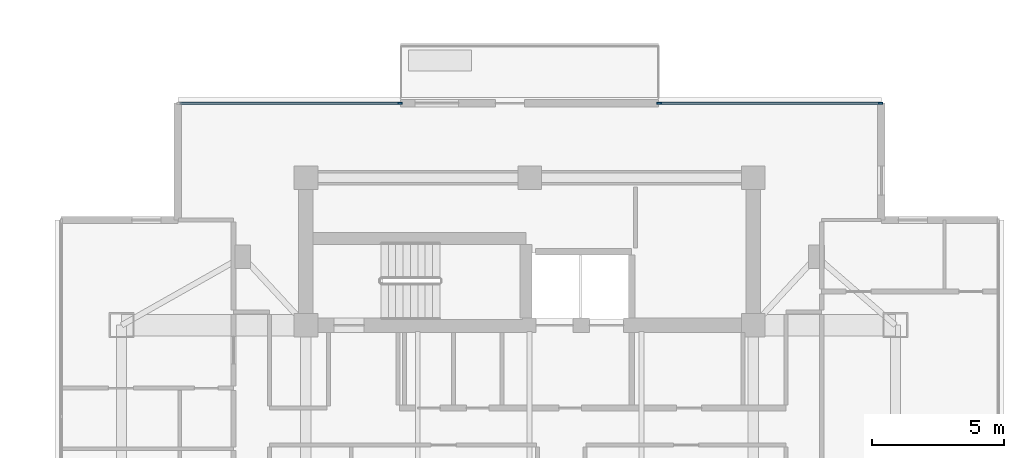
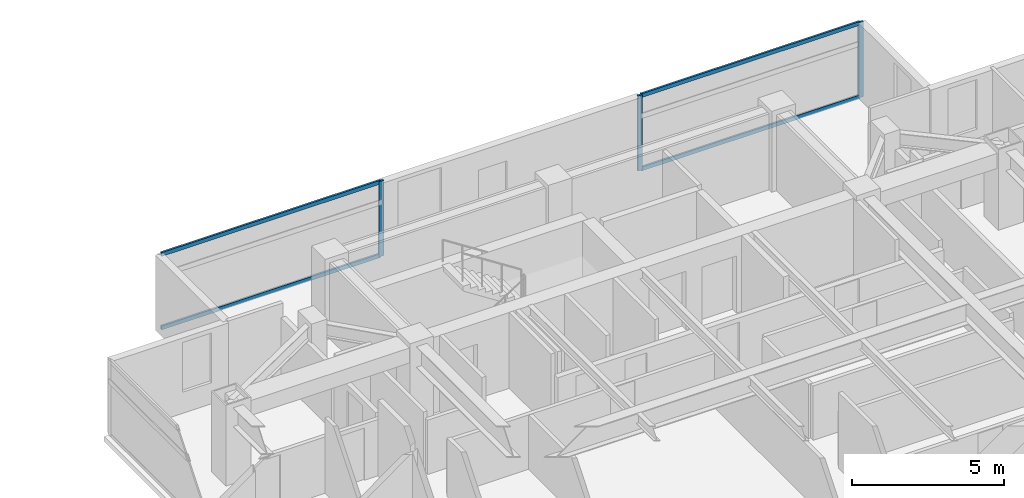
# One storey, part 11 of 26: 7 members, 2 elements without a shape of their own.
"""IFC4 building model written with IfcOpenShell, lengths in metres."""

import ifcopenshell
import ifcopenshell.guid

model = None  # the IFC model being written
_history = None  # IfcOwnerHistory: only IFC2X3 demands one
_inside = {}  # id of a spatial element -> (the spatial element, [elements in it])
_under = {}  # id of a project, library or spatial element -> (it, [spatial elements below it])
_declared = {}  # id of a project -> (the project, [libraries it declares])
_typed = {}  # id of a type object -> (the type object, [elements of that type])
_made_of = {}  # id of a material, layer set ... -> (it, [elements and type objects made of it])


def new_model(schema):
    """Start an empty IFC model of exactly this schema.

    Asked for "IFC4X3", IfcOpenShell would pick the latest addendum, in which some entities
    have other attributes; the version numbers below select the first issue.
    IFC2X3 requires an IfcOwnerHistory on every rooted entity: one is made here for all.
    """
    global model, _history
    if schema == "IFC4X3":
        model = ifcopenshell.file(schema_version=(4, 3, 0, 0))
    else:
        model = ifcopenshell.file(schema=schema)
    _inside.clear()
    _under.clear()
    _declared.clear()
    _typed.clear()
    _made_of.clear()
    _history = None
    if model.schema == "IFC2X3":
        org = make("IfcOrganization", Name="unknown")
        user = make(
            "IfcPersonAndOrganization",
            ThePerson=make("IfcPerson", FamilyName="unknown"),
            TheOrganization=org,
        )
        app = make(
            "IfcApplication",
            ApplicationDeveloper=org,
            Version="unknown",
            ApplicationFullName="unknown",
            ApplicationIdentifier="unknown",
        )
        _history = make(
            "IfcOwnerHistory",
            OwningUser=user,
            OwningApplication=app,
            ChangeAction="ADDED",
            CreationDate=0,
        )
    return model


def make(cls, **values):
    """One entity of the class cls with the attributes given. An attribute that is None is left unset."""
    return model.create_entity(
        cls, **{name: value for name, value in values.items() if value is not None}
    )


def rooted(cls, **values):
    """An entity with a GlobalId (a new one), such as an element, a storey or a relation."""
    return make(cls, GlobalId=ifcopenshell.guid.new(), OwnerHistory=_history, **values)


def si_unit(unit_type, name, prefix=None):
    """IfcSIUnit, for example si_unit("LENGTHUNIT", "METRE", prefix="MILLI")."""
    return make("IfcSIUnit", UnitType=unit_type, Prefix=prefix, Name=name)


def assignment(units):
    """IfcUnitAssignment: the units of a project."""
    return None if units is None else make("IfcUnitAssignment", Units=units)


def point(xyz):
    """IfcCartesianPoint."""
    return None if xyz is None else make("IfcCartesianPoint", Coordinates=xyz)


def direction(xyz):
    """IfcDirection."""
    return None if xyz is None else make("IfcDirection", DirectionRatios=xyz)


def frame(location, z_axis=None, x_axis=None):
    """IfcAxis2Placement3D, a coordinate frame: its origin and axes. An axis left out is left unset."""
    return make(
        "IfcAxis2Placement3D",
        Location=point(location),
        Axis=direction(z_axis),
        RefDirection=direction(x_axis),
    )


def frame_2d(location, x_axis=None):
    """IfcAxis2Placement2D, a coordinate frame in the plane: its origin and x axis."""
    return make(
        "IfcAxis2Placement2D", Location=point(location), RefDirection=direction(x_axis)
    )


def origin():
    """The frame at (0, 0, 0) with its axes left unset."""
    return frame((0.0, 0.0, 0.0))


def origin_2d():
    """The frame at (0, 0) in the plane with its x axis left unset."""
    return frame_2d((0.0, 0.0))


def place(relative_to, where):
    """IfcLocalPlacement: puts the frame where relative to a parent placement (None: the world)."""
    return make(
        "IfcLocalPlacement", PlacementRelTo=relative_to, RelativePlacement=where
    )


def context(
    kind, dimensions, precision=None, world=None, true_north=None, identifier=None
):
    """IfcGeometricRepresentationContext, for example the 3D "Model" context."""
    return make(
        "IfcGeometricRepresentationContext",
        ContextIdentifier=identifier,
        ContextType=kind,
        CoordinateSpaceDimension=dimensions,
        Precision=precision,
        WorldCoordinateSystem=world,
        TrueNorth=true_north,
    )


def subcontext(parent, identifier, kind, view, scale=None):
    """IfcGeometricRepresentationSubContext, for example "Body" below "Model"."""
    return make(
        "IfcGeometricRepresentationSubContext",
        ContextIdentifier=identifier,
        ContextType=kind,
        ParentContext=parent,
        TargetScale=scale,
        TargetView=view,
    )


def project(units=None, contexts=None):
    """IfcProject with its units and contexts."""
    return rooted(
        "IfcProject",
        Name="project",
        RepresentationContexts=contexts,
        UnitsInContext=assignment(units),
    )


def spatial(cls, under=None, at=None, **own):
    """A site, building, storey or space (cls), placed at a placement, below another one or the project."""
    s = rooted(cls, ObjectPlacement=at, **own)
    if under is not None:
        _under.setdefault(under.id(), (under, []))[1].append(s)
    return s


def profile(cls, at=None, kind="AREA", **sizes):
    """A parametric profile (cls). Its sizes go by their IFC names, for example OverallWidth=200.0."""
    return make(cls, ProfileType=kind, Position=at, **sizes)


def rectangle(**sizes):
    """IfcRectangleProfileDef."""
    return profile("IfcRectangleProfileDef", **sizes)


def extrude(swept, where, along, depth):
    """IfcExtrudedAreaSolid: the profile swept, set in the frame where, extruded along a direction by depth."""
    return make(
        "IfcExtrudedAreaSolid",
        SweptArea=swept,
        Position=where,
        ExtrudedDirection=direction(along),
        Depth=depth,
    )


def shape(context_of_items, identifier, shape_type, items):
    """IfcShapeRepresentation: the items that make up one representation, for example the "Body"."""
    return make(
        "IfcShapeRepresentation",
        ContextOfItems=context_of_items,
        RepresentationIdentifier=identifier,
        RepresentationType=shape_type,
        Items=items,
    )


def material(Name=None, Category=None):
    """IfcMaterial."""
    return make("IfcMaterial", Name=Name, Category=Category)


def material_profile(
    of_material, cross_section, Name=None, Category=None, Priority=None
):
    """IfcMaterialProfile: a cross section and its material."""
    return make(
        "IfcMaterialProfile",
        Name=Name,
        Material=of_material,
        Profile=cross_section,
        Priority=Priority,
        Category=Category,
    )


def profile_set(profiles, Name=None, composite=None):
    """IfcMaterialProfileSet."""
    return make(
        "IfcMaterialProfileSet",
        Name=Name,
        MaterialProfiles=profiles,
        CompositeProfile=composite,
    )


def made_of(thing, what):
    """Note that an element or type object is made of a material, layer set ...; save() writes the relation."""
    if what is not None:
        _made_of.setdefault(what.id(), (what, []))[1].append(thing)
    return thing


def type_object(cls, material=None, **own):
    """A type object (cls), such as IfcWallType, which elements share."""
    return made_of(rooted(cls, **own), material)


def element(
    cls,
    number,
    at=None,
    inside=None,
    cuts=None,
    type_object=None,
    material=None,
    context=None,
    identifier="Body",
    shape_type=None,
    held_by="IfcProductDefinitionShape",
    body=None,
    shapes=None,
    **own,
):
    """One element of the class cls, such as IfcWall. Its Tag is "e" and its number.

    at: its placement. inside: the storey or other place that contains it. cuts: it is an
    opening in that element (IfcRelVoidsElement). A single representation is given by context,
    identifier, shape_type and body (its items); several are given by shapes. held_by: the class
    of the entity that holds the representations. save() writes the other relations.
    """
    e = rooted(cls, Tag="e%d" % number, ObjectPlacement=at, **own)
    if body is not None:
        shapes = [shape(context, identifier, shape_type, body)]
    if shapes is not None:
        e.Representation = make(held_by, Representations=shapes)
    if inside is not None:
        _inside.setdefault(inside.id(), (inside, []))[1].append(e)
    if cuts is not None:
        rooted(
            "IfcRelVoidsElement", RelatingBuildingElement=cuts, RelatedOpeningElement=e
        )
    if type_object is not None:
        _typed.setdefault(type_object.id(), (type_object, []))[1].append(e)
    return made_of(e, material)


def aggregate(whole, parts):
    """IfcRelAggregates: a whole, such as a stair, and the parts it consists of."""
    return rooted("IfcRelAggregates", RelatingObject=whole, RelatedObjects=parts)


def save(model, path):
    """Write the relations noted so far, then the file.

    IfcRelAggregates (storeys below a building ...), IfcRelContainedInSpatialStructure (elements
    in a storey), IfcRelDefinesByType, IfcRelAssociatesMaterial and IfcRelDeclares: one each for
    every whole, place, type object, material and project.
    """
    for whole, parts in _under.values():
        aggregate(whole, parts)
    for where, things in _inside.values():
        rooted(
            "IfcRelContainedInSpatialStructure",
            RelatedElements=things,
            RelatingStructure=where,
        )
    for kind, things in _typed.values():
        rooted("IfcRelDefinesByType", RelatedObjects=things, RelatingType=kind)
    for what, things in _made_of.values():
        rooted("IfcRelAssociatesMaterial", RelatedObjects=things, RelatingMaterial=what)
    for by, libraries in _declared.values():
        rooted("IfcRelDeclares", RelatingContext=by, RelatedDefinitions=libraries)
    model.write(path)


model = new_model("IFC4")

# Units and contexts
model_context = context("Model", 3, precision=1e-05, world=origin(), true_north=direction((0.0, 1.0)))
body_context = subcontext(model_context, "Body", "Model", "MODEL_VIEW")
ifc_project = project(units=[si_unit("LENGTHUNIT", "METRE"), si_unit("AREAUNIT", "SQUARE_METRE"), si_unit("VOLUMEUNIT", "CUBIC_METRE"), si_unit("PLANEANGLEUNIT", "RADIAN"), si_unit("MASSUNIT", "GRAM", prefix="KILO")], contexts=[model_context])

# Site, building, storey
site_placement = place(None, origin())
site = spatial("IfcSite", under=ifc_project, at=site_placement, CompositionType="ELEMENT")
building_placement = place(site_placement, origin())
building = spatial("IfcBuilding", under=site, at=building_placement, Name="Mirazonda Arch Towers", CompositionType="ELEMENT")
storey_placement = place(building_placement, frame((0.0, 0.0, 203.14990234375)))
storey = spatial("IfcBuildingStorey", under=building, at=storey_placement, Name="L58", CompositionType="ELEMENT", Elevation=203.14990234375)

# Curtain wall, member
ifc_material_1 = material(Name="Anodised Aluminium and Low-E Glass", Category="aluminium")
curtain_wall_type = type_object("IfcCurtainWallType", Name="CW-RES-UNIT", PredefinedType="NOTDEFINED", material=ifc_material_1)
curtain_wall_1_placement = place(storey_placement, origin())
curtain_wall_1 = element("IfcCurtainWall", 1, at=curtain_wall_1_placement, inside=storey, type_object=curtain_wall_type, Name="L58 Curtain Wall CW-L58-T2-NA", PredefinedType="NOTDEFINED")
ifc_material_2 = material(Name="Anodised Aluminium Alloy", Category="aluminium")
ifc_material_profile_1 = material_profile(ifc_material_2, rectangle(XDim=0.074951171875, YDim=0.175048828125, at=origin_2d()), Name="ALU-MULL-75x175")
ifc_profile_set_1 = profile_set([ifc_material_profile_1], Name="Anodised Aluminium Alloy")
member_type_1 = type_object("IfcMemberType", Name="MULL-CW-RES-UNIT", PredefinedType="MULLION", material=ifc_profile_set_1)
member_1_placement = place(storey_placement, frame((71.572509765625, 43.63818359375, 0.0), z_axis=(0.0, 0.0, 1.0), x_axis=(0.0, 1.0, 0.0)))
member_1 = element("IfcMember", 2, at=member_1_placement, type_object=member_type_1, Name="CW-104 mullion 2", PredefinedType="MULLION", context=body_context, shape_type="SweptSolid", body=[
    extrude(rectangle(XDim=0.074951171875, YDim=0.175048828125, at=origin_2d()), origin(), (0.0, 0.0, 1.0), 3.030029296875),
])

# Curtain wall, members
curtain_wall_2_placement = place(storey_placement, origin())
curtain_wall_2 = element("IfcCurtainWall", 3, at=curtain_wall_2_placement, inside=storey, type_object=curtain_wall_type, Name="L58 Curtain Wall CW-L58-T2-NB", PredefinedType="NOTDEFINED")
member_2_placement = place(storey_placement, frame((81.427490234375, 43.63818359375, 0.0), z_axis=(0.0, 0.0, 1.0), x_axis=(0.0, 1.0, 0.0)))
member_2 = element("IfcMember", 4, at=member_2_placement, type_object=member_type_1, Name="CW-104 mullion 1", PredefinedType="MULLION", context=body_context, shape_type="SweptSolid", body=[
    extrude(rectangle(XDim=0.074951171875, YDim=0.175048828125, at=origin_2d()), origin(), (0.0, 0.0, 1.0), 3.030029296875),
])
member_3_placement = place(storey_placement, frame((89.828369140625, 43.63818359375, 0.0), z_axis=(0.0, 0.0, 1.0), x_axis=(0.0, 1.0, 0.0)))
member_3 = element("IfcMember", 5, at=member_3_placement, type_object=member_type_1, Name="CW-104 mullion 2", PredefinedType="MULLION", context=body_context, shape_type="SweptSolid", body=[
    extrude(rectangle(XDim=0.074951171875, YDim=0.175048828125, at=origin_2d()), origin(), (0.0, 0.0, 1.0), 3.030029296875),
])

# Member
ifc_material_profile_2 = material_profile(ifc_material_2, rectangle(XDim=0.074951171875, YDim=0.155029296875, at=origin_2d()), Name="ALU-TRAN-75x155")
ifc_profile_set_2 = profile_set([ifc_material_profile_2], Name="Anodised Aluminium Alloy")
member_type_2 = type_object("IfcMemberType", Name="TRAN-CW-RES-UNIT", PredefinedType="USERDEFINED", material=ifc_profile_set_2)
member_4_placement = place(storey_placement, frame((63.209228515625, 43.63818359375, 0.03759765625), z_axis=(1.0, 0.0, 0.0), x_axis=(0.0, 1.0, 0.0)))
member_4 = element("IfcMember", 6, at=member_4_placement, type_object=member_type_2, Name="CW-104 transom 1.1", ObjectType="TRANSOM", PredefinedType="USERDEFINED", context=body_context, shape_type="SweptSolid", body=[
    extrude(rectangle(XDim=0.074951171875, YDim=0.155029296875, at=origin_2d()), origin(), (0.0, 0.0, 1.0), 8.32568359375),
])

member_5_placement = place(storey_placement, frame((63.209228515625, 43.63818359375, 2.99267578125), z_axis=(1.0, 0.0, 0.0), x_axis=(0.0, 1.0, 0.0)))
member_5 = element("IfcMember", 7, at=member_5_placement, type_object=member_type_2, Name="CW-104 transom 1.2", ObjectType="TRANSOM", PredefinedType="USERDEFINED", context=body_context, shape_type="SweptSolid", body=[
    extrude(rectangle(XDim=0.074951171875, YDim=0.155029296875, at=origin_2d()), origin(), (0.0, 0.0, 1.0), 8.32568359375),
])

aggregate(curtain_wall_1, [member_1, member_4, member_5])

member_6_placement = place(storey_placement, frame((81.465087890625, 43.63818359375, 0.03759765625), z_axis=(1.0, 0.0, 0.0), x_axis=(0.0, 1.0, 0.0)))
member_6 = element("IfcMember", 8, at=member_6_placement, type_object=member_type_2, Name="CW-104 transom 1.1", ObjectType="TRANSOM", PredefinedType="USERDEFINED", context=body_context, shape_type="SweptSolid", body=[
    extrude(rectangle(XDim=0.074951171875, YDim=0.155029296875, at=origin_2d()), origin(), (0.0, 0.0, 1.0), 8.32568359375),
])

member_7_placement = place(storey_placement, frame((81.465087890625, 43.63818359375, 2.99267578125), z_axis=(1.0, 0.0, 0.0), x_axis=(0.0, 1.0, 0.0)))
member_7 = element("IfcMember", 9, at=member_7_placement, type_object=member_type_2, Name="CW-104 transom 1.2", ObjectType="TRANSOM", PredefinedType="USERDEFINED", context=body_context, shape_type="SweptSolid", body=[
    extrude(rectangle(XDim=0.074951171875, YDim=0.155029296875, at=origin_2d()), origin(), (0.0, 0.0, 1.0), 8.32568359375),
])

aggregate(curtain_wall_2, [member_2, member_3, member_6, member_7])

save(model, "model.ifc")
